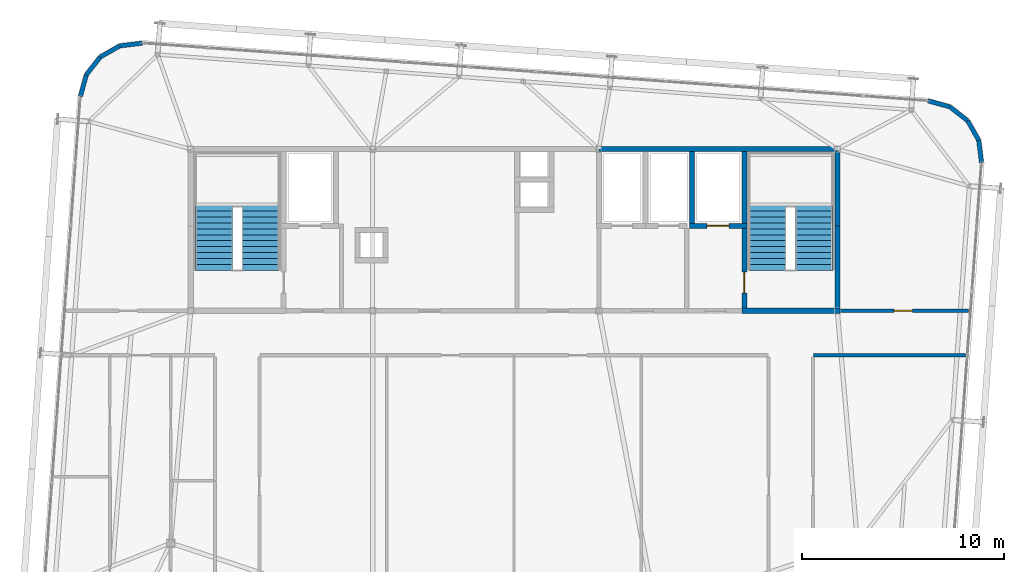
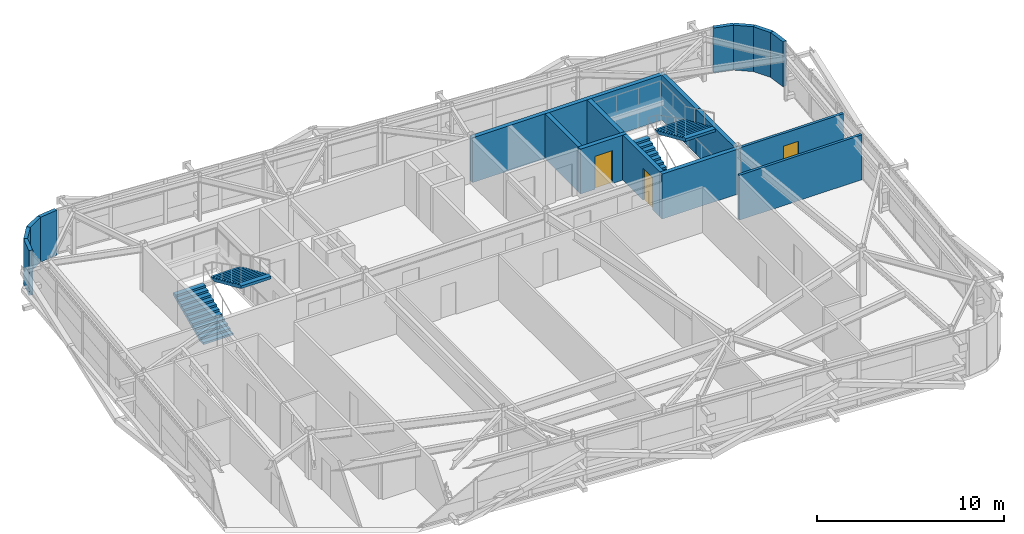
# One storey, part 40 of 42: 18 walls, 4 stair flights, 3 doors, 3 openings, 2 elements without a shape of their own.
"""IFC4 building model written with IfcOpenShell, lengths in metres."""

from ifc_helpers import new_model, si_unit, direction, frame, frame_2d, origin, place, context, subcontext, project, spatial, polyline, rectangle, outline, extrude, source, transform, mapped, material, layer, layer_set, type_object, element, fill, aggregate, save


model = new_model("IFC4")

# Units and contexts
model_context = context("Model", 3, precision=1e-05, world=origin(), true_north=direction((0.0, 1.0)))
body_context = subcontext(model_context, "Body", "Model", "MODEL_VIEW")
ifc_project = project(units=[si_unit("LENGTHUNIT", "METRE"), si_unit("AREAUNIT", "SQUARE_METRE"), si_unit("VOLUMEUNIT", "CUBIC_METRE"), si_unit("PLANEANGLEUNIT", "RADIAN"), si_unit("MASSUNIT", "GRAM", prefix="KILO")], contexts=[model_context])

# Site, building, storey
site_placement = place(None, origin())
site = spatial("IfcSite", under=ifc_project, at=site_placement, CompositionType="ELEMENT")
building_placement = place(site_placement, origin())
building = spatial("IfcBuilding", under=site, at=building_placement, Name="Taldren Reach Tower", CompositionType="ELEMENT")
storey_placement = place(building_placement, frame((0.0, 0.0, 220.85009765625)))
storey = spatial("IfcBuildingStorey", under=building, at=storey_placement, Name="L67", CompositionType="ELEMENT", Elevation=220.85009765625)

# Walls
ifc_material_1 = material(Name="Pale Champagne Anodised Aluminium Cladding", Category="aluminium")
ifc_layer_1 = layer(ifc_material_1, 0.04, Name="Pale Champagne Anodised Aluminium Cladding", Category="aluminium")
ifc_material_2 = material(Name="Mineral Wool Acoustic Insulation", Category="insulation")
ifc_layer_2 = layer(ifc_material_2, 0.06, Name="Mineral Wool Acoustic Insulation", Category="insulation")
ifc_material_3 = material(Name="Steel Gr 350 (C350L0)", Category="steel")
ifc_layer_3 = layer(ifc_material_3, 0.12, Name="Steel Gr 350 (C350L0)", Category="steel")
ifc_layer_set_1 = layer_set([ifc_layer_1, ifc_layer_2, ifc_layer_3], Name="Pale Champagne Aluminium Cladding and Steel Gr 350 Stud Framing")
wall_type_1 = type_object("IfcWallType", Name="EW-CRN-220", PredefinedType="SOLIDWALL", material=ifc_layer_set_1)
shared_shape_1 = source(origin(), body_context, "Body", "SweptSolid", [
    extrude(rectangle(XDim=1.115966796875, YDim=0.219970703125, at=frame_2d((0.55810546875, 0.0))), origin(), (0.0, 0.0, 1.0), 2.929931640625),
])
for number, where, z_axis, x_axis, name in (
    (1, (58.137451171875, 31.328125, 0.0), (0.0, 0.0, 1.0), (-0.122742076028, 0.992438604032, 0.0), "Rounded-corner pale-metal facade wall L67-NE1"),
    (2, (57.4501953125, 33.40625, 0.0), (0.0, 0.0, 1.0), (-0.788597772321, 0.614909386406, 0.0), "Rounded-corner pale-metal facade wall L67-NE3"),
    (3, (14.52099609375, 36.558837890625, 0.0), (0.0, 0.0, 1.0), (-0.614909386406, -0.788597772321, 0.0), "Rounded-corner pale-metal facade wall L67-NW3"),
):
    element("IfcWall", number, at=place(storey_placement, frame(where, z_axis=z_axis, x_axis=x_axis)), inside=storey, type_object=wall_type_1, Name=name, PredefinedType="SOLIDWALL", context=body_context, shape_type="MappedRepresentation", body=[
        mapped(shared_shape_1, transform((0.0, 0.0, 0.0), scale=1.0)),
    ])
shared_shape_2 = source(origin(), body_context, "Body", "SweptSolid", [
    extrude(rectangle(XDim=1.11572265625, YDim=0.219970703125, at=frame_2d((0.557861328125, 0.0))), origin(), (0.0, 0.0, 1.0), 2.929931640625),
])
for number, where, z_axis, x_axis, name in (
    (4, (58.00048828125, 32.435546875, 0.0), (0.0, 0.0, 1.0), (-0.493167138628, 0.869934579941, 0.0), "Rounded-corner pale-metal facade wall L67-NE2"),
    (5, (56.570068359375, 34.092529296875, 0.0), (0.0, 0.0, 1.0), (-0.963833843713, 0.266503886865, 0.0), "Rounded-corner pale-metal facade wall L67-NE4"),
    (6, (15.49169921875, 37.109130859375, 0.0), (0.0, 0.0, 1.0), (-0.869934579941, -0.493167138628, 0.0), "Rounded-corner pale-metal facade wall L67-NW2"),
    (7, (13.834716796875, 35.6787109375, 0.0), (0.0, 0.0, 1.0), (-0.266300605026, -0.963890028874, 0.0), "Rounded-corner pale-metal facade wall L67-NW4"),
):
    element("IfcWall", number, at=place(storey_placement, frame(where, z_axis=z_axis, x_axis=x_axis)), inside=storey, type_object=wall_type_1, Name=name, PredefinedType="SOLIDWALL", context=body_context, shape_type="MappedRepresentation", body=[
        mapped(shared_shape_2, transform((0.0, 0.0, 0.0), scale=1.0)),
    ])
shared_shape_3 = source(origin(), body_context, "Body", "SweptSolid", [
    extrude(rectangle(XDim=1.1162109375, YDim=0.219970703125, at=frame_2d((0.55810546875, 0.0))), origin(), (0.0, 0.0, 1.0), 2.929931640625),
])
wall_1_placement = place(storey_placement, frame((16.599365234375, 37.24609375, 0.0), z_axis=(0.0, 0.0, 1.0), x_axis=(-0.992441899189, -0.122715429897, 0.0)))
element("IfcWall", 8, at=wall_1_placement, inside=storey, type_object=wall_type_1, Name="Rounded-corner pale-metal facade wall L67-NW1", PredefinedType="SOLIDWALL", context=body_context, shape_type="MappedRepresentation", body=[
    mapped(shared_shape_3, transform((0.0, 0.0, 0.0), scale=1.0)),
])
ifc_material_4 = material(Name="Concrete S65 (65 MPa)", Category="concrete")
ifc_layer_4 = layer(ifc_material_4, 0.25)
ifc_layer_set_2 = layer_set([ifc_layer_4], Name="Concrete S65 (65 MPa)")
wall_type_2 = type_object("IfcWallType", Name="IW-CORE-250", PredefinedType="SHEAR", material=ifc_layer_set_2)
shared_shape_4 = source(origin(), body_context, "Body", "SweptSolid", [
    extrude(rectangle(XDim=11.925048828125, YDim=0.25, at=frame_2d((5.96240234375, 0.0))), origin(), (0.0, 0.0, 1.0), 2.929931640625),
])
wall_2_placement = place(storey_placement, frame((39.199951171875, 32.0, 0.0), z_axis=(0.0, 0.0, 1.0), x_axis=(1.0, 0.0, 0.0)))
element("IfcWall", 9, at=wall_2_placement, inside=storey, type_object=wall_type_2, Name="Rear Core Shear Wall W-CORE-L67-NORTH3", PredefinedType="SHEAR", context=body_context, shape_type="MappedRepresentation", body=[
    mapped(shared_shape_4, transform((0.0, 0.0, 0.0), scale=1.0)),
])
shared_shape_5 = source(origin(), body_context, "Body", "SweptSolid", [
    extrude(rectangle(XDim=4.074951171875, YDim=0.25, at=frame_2d((2.03759765625, 0.0))), origin(), (0.0, 0.0, 1.0), 2.929931640625),
])
wall_3_placement = place(storey_placement, frame((51.0, 24.125, 0.0), z_axis=(0.0, 0.0, 1.0), x_axis=(0.0, 1.0, 0.0)))
element("IfcWall", 10, at=wall_3_placement, inside=storey, type_object=wall_type_2, Name="Rear Core Shear Wall W-CORE-L67-EAST1", PredefinedType="SHEAR", context=body_context, shape_type="MappedRepresentation", body=[
    mapped(shared_shape_5, transform((0.0, 0.0, 0.0), scale=1.0)),
])
shared_shape_6 = source(origin(), body_context, "Body", "SweptSolid", [
    extrude(rectangle(XDim=3.675048828125, YDim=0.25, at=frame_2d((1.83740234375, 0.0))), origin(), (0.0, 0.0, 1.0), 2.929931640625),
])
wall_4_placement = place(storey_placement, frame((51.0, 28.199951171875, 0.0), z_axis=(0.0, 0.0, 1.0), x_axis=(0.0, 1.0, 0.0)))
element("IfcWall", 11, at=wall_4_placement, inside=storey, type_object=wall_type_2, Name="Rear Core Shear Wall W-CORE-L67-EAST2", PredefinedType="SHEAR", context=body_context, shape_type="MappedRepresentation", body=[
    mapped(shared_shape_6, transform((0.0, 0.0, 0.0), scale=1.0)),
])
shared_shape_7 = source(origin(), body_context, "Body", "SweptSolid", [
    extrude(rectangle(XDim=3.550048828125, YDim=0.25, at=frame_2d((1.77490234375, 0.0))), origin(), (0.0, 0.0, 1.0), 2.929931640625),
])
for number, where, z_axis, x_axis, name in (
    (12, (46.39990234375, 31.875, 0.0), (0.0, 0.0, 1.0), (0.0, -1.0, 0.0), "Rear Core Shear Wall W-INT-L67-008"),
    (13, (43.800048828125, 31.875, 0.0), (0.0, 0.0, 1.0), (0.0, -1.0, 0.0), "Rear Core Shear Wall W-INT-L67-012"),
):
    element("IfcWall", number, at=place(storey_placement, frame(where, z_axis=z_axis, x_axis=x_axis)), inside=storey, type_object=wall_type_2, Name=name, PredefinedType="SHEAR", context=body_context, shape_type="MappedRepresentation", body=[
        mapped(shared_shape_7, transform((0.0, 0.0, 0.0), scale=1.0)),
    ])

# Wall, opening, door
shared_shape_8 = source(origin(), body_context, "Body", "SweptSolid", [
    extrude(rectangle(XDim=3.949951171875, YDim=0.25, at=frame_2d((1.97509765625, 0.0))), origin(), (0.0, 0.0, 1.0), 2.929931640625),
])
wall_5_placement = place(storey_placement, frame((46.39990234375, 28.074951171875, 0.0), z_axis=(0.0, 0.0, 1.0), x_axis=(0.0, -1.0, 0.0)))
wall_5 = element("IfcWall", 14, at=wall_5_placement, inside=storey, type_object=wall_type_2, Name="Rear Core Shear Wall W-INT-L67-009", PredefinedType="SHEAR", context=body_context, shape_type="MappedRepresentation", body=[
    mapped(shared_shape_8, transform((0.0, 0.0, 0.0), scale=1.0)),
])
shared_shape_9 = source(origin(), body_context, "Body", "SweptSolid", [
    extrude(rectangle(XDim=1.050048828125, YDim=2.10009765625, at=frame_2d((0.52490234375, 1.050048828125))), frame((0.0, 0.135009765625, 0.0), z_axis=(0.0, -1.0, 0.0), x_axis=(1.0, 0.0, 0.0)), (0.0, 0.0, 1.0), 0.27001953125),
])
opening_1_placement = place(wall_5_placement, frame((2.14990234375, 0.0, 0.0)))
opening_1 = element("IfcOpeningElement", 15, at=opening_1_placement, cuts=wall_5, Name="Opening DF-105", PredefinedType="OPENING", context=body_context, shape_type="MappedRepresentation", body=[
    mapped(shared_shape_9, transform((0.0, 0.0, 0.0), scale=1.0)),
])
ifc_material_5 = material(Name="Fire-Rated Care and Stair Exit Door")
door_type_1 = type_object("IfcDoorType", Name="ID-FIRE-105", OperationType="NOTDEFINED", PredefinedType="DOOR", material=ifc_material_5)
shared_shape_10 = source(origin(), body_context, "Body", "SweptSolid", [
    extrude(rectangle(XDim=1.050048828125, YDim=2.10009765625, at=frame_2d((0.52490234375, 1.050048828125))), frame((0.0, 0.02490234375, 0.0), z_axis=(0.0, -1.0, 0.0), x_axis=(1.0, 0.0, 0.0)), (0.0, 0.0, 1.0), 0.050048828125),
])
door_1_placement = place(opening_1_placement, origin())
door_1 = element("IfcDoor", 16, at=door_1_placement, inside=storey, type_object=door_type_1, Name="Fire Exit Stair Door DR-L67-003", OperationType="SINGLE_SWING_RIGHT", OverallHeight=2.10009765625, OverallWidth=1.050048828125, PredefinedType="DOOR", context=body_context, shape_type="MappedRepresentation", body=[
    mapped(shared_shape_10, transform((0.0, 0.0, 0.0), scale=1.0)),
])
fill(opening_1, door_1)

# Wall
shared_shape_11 = source(origin(), body_context, "Body", "SweptSolid", [
    extrude(rectangle(XDim=4.85009765625, YDim=0.25, at=frame_2d((2.425048828125, 0.0))), origin(), (0.0, 0.0, 1.0), 2.929931640625),
])
wall_6_placement = place(storey_placement, frame((46.27490234375, 24.0, 0.0), z_axis=(0.0, 0.0, 1.0), x_axis=(1.0, 0.0, 0.0)))
element("IfcWall", 17, at=wall_6_placement, inside=storey, type_object=wall_type_2, Name="Rear Core Shear Wall W-INT-L67-010", PredefinedType="SHEAR", context=body_context, shape_type="MappedRepresentation", body=[
    mapped(shared_shape_11, transform((0.0, 0.0, 0.0), scale=1.0)),
])

# Wall, opening, door
shared_shape_12 = source(origin(), body_context, "Body", "SweptSolid", [
    extrude(rectangle(XDim=2.849853515625, YDim=0.25, at=frame_2d((1.4248046875, 0.0))), origin(), (0.0, 0.0, 1.0), 2.929931640625),
])
wall_7_placement = place(storey_placement, frame((43.675048828125, 28.199951171875, 0.0), z_axis=(0.0, 0.0, 1.0), x_axis=(1.0, 0.0, 0.0)))
wall_7 = element("IfcWall", 18, at=wall_7_placement, inside=storey, type_object=wall_type_2, Name="Rear Core Shear Wall W-INT-L67-011", PredefinedType="SHEAR", context=body_context, shape_type="MappedRepresentation", body=[
    mapped(shared_shape_12, transform((0.0, 0.0, 0.0), scale=1.0)),
])
shared_shape_13 = source(origin(), body_context, "Body", "SweptSolid", [
    extrude(rectangle(XDim=1.10009765625, YDim=2.14990234375, at=frame_2d((0.550048828125, 1.074951171875))), frame((0.0, 0.135009765625, 0.0), z_axis=(0.0, -1.0, 0.0), x_axis=(1.0, 0.0, 0.0)), (0.0, 0.0, 1.0), 0.27001953125),
])
opening_2_placement = place(wall_7_placement, frame((0.875, 0.0, 0.0)))
opening_2 = element("IfcOpeningElement", 19, at=opening_2_placement, cuts=wall_7, Name="Opening LD-FL2", PredefinedType="OPENING", context=body_context, shape_type="MappedRepresentation", body=[
    mapped(shared_shape_13, transform((0.0, 0.0, 0.0), scale=1.0)),
])
ifc_material_6 = material(Name="Stainless Steel Gr 316 Emergency Lift Landing Door", Category="steel")
door_type_2 = type_object("IfcDoorType", Name="LD-EMG-110", OperationType="SLIDING_TO_LEFT", PredefinedType="DOOR", material=ifc_material_6)
shared_shape_14 = source(origin(), body_context, "Body", "SweptSolid", [
    extrude(rectangle(XDim=1.10009765625, YDim=2.14990234375, at=frame_2d((0.550048828125, 1.074951171875))), frame((0.0, 0.02490234375, 0.0), z_axis=(0.0, -1.0, 0.0), x_axis=(1.0, 0.0, 0.0)), (0.0, 0.0, 1.0), 0.050048828125),
])
door_2_placement = place(opening_2_placement, origin())
door_2 = element("IfcDoor", 20, at=door_2_placement, inside=storey, type_object=door_type_2, Name="Lift Landing Door LD-FL2-L67", OperationType="SLIDING_TO_LEFT", OverallHeight=2.14990234375, OverallWidth=1.10009765625, PredefinedType="DOOR", context=body_context, shape_type="MappedRepresentation", body=[
    mapped(shared_shape_14, transform((0.0, 0.0, 0.0), scale=1.0)),
])
fill(opening_2, door_2)

ifc_material_7 = material(Name="Fire-Rated Acoustic Plasterboard Stud Wall", Category="gypsum")
ifc_layer_5 = layer(ifc_material_7, 0.159912109375)
ifc_layer_set_3 = layer_set([ifc_layer_5], Name="Fire-Rated Acoustic Plasterboard Stud Wall")
wall_type_3 = type_object("IfcWallType", Name="IW-FIRE-160", PredefinedType="PARTITIONING", material=ifc_layer_set_3)
shared_shape_15 = source(origin(), body_context, "Body", "SweptSolid", [
    extrude(rectangle(XDim=6.378173828125, YDim=0.159912109375, at=frame_2d((3.18896484375, 0.0))), origin(), (0.0, 0.0, 1.0), 2.929931640625),
])
wall_8_placement = place(storey_placement, frame((51.125, 24.0, 0.0), z_axis=(0.0, 0.0, 1.0), x_axis=(1.0, 0.0, 0.0)))
wall_8 = element("IfcWall", 21, at=wall_8_placement, inside=storey, type_object=wall_type_3, Name="Interior Partition Wall W-INT-L67-044", PredefinedType="PARTITIONING", context=body_context, shape_type="MappedRepresentation", body=[
    mapped(shared_shape_15, transform((0.0, 0.0, 0.0), scale=1.0)),
])
shared_shape_16 = source(origin(), body_context, "Body", "SweptSolid", [
    extrude(rectangle(XDim=0.919921875, YDim=2.10009765625, at=frame_2d((0.4599609375, 1.050048828125))), frame((0.0, 0.08984375, 0.0), z_axis=(0.0, -1.0, 0.0), x_axis=(1.0, 0.0, 0.0)), (0.0, 0.0, 1.0), 0.179931640625),
])
opening_3_placement = place(wall_8_placement, frame((2.6767578125, 0.0, 0.0)))
opening_3 = element("IfcOpeningElement", 22, at=opening_3_placement, cuts=wall_8, Name="Opening DI-092", PredefinedType="OPENING", context=body_context, shape_type="MappedRepresentation", body=[
    mapped(shared_shape_16, transform((0.0, 0.0, 0.0), scale=1.0)),
])
ifc_material_8 = material(Name="Solid-Core Timber Suite Door", Category="wood")
door_type_3 = type_object("IfcDoorType", Name="ID-INT-092", OperationType="NOTDEFINED", PredefinedType="DOOR", material=ifc_material_8)
shared_shape_17 = source(origin(), body_context, "Body", "SweptSolid", [
    extrude(rectangle(XDim=0.919921875, YDim=2.10009765625, at=frame_2d((0.4599609375, 1.050048828125))), frame((0.0, 0.02490234375, 0.0), z_axis=(0.0, -1.0, 0.0), x_axis=(1.0, 0.0, 0.0)), (0.0, 0.0, 1.0), 0.050048828125),
])
door_3_placement = place(opening_3_placement, origin())
door_3 = element("IfcDoor", 23, at=door_3_placement, inside=storey, type_object=door_type_3, Name="Interior Door DR-L67-012", OperationType="SINGLE_SWING_LEFT", OverallHeight=2.10009765625, OverallWidth=0.919921875, PredefinedType="DOOR", context=body_context, shape_type="MappedRepresentation", body=[
    mapped(shared_shape_17, transform((0.0, 0.0, 0.0), scale=1.0)),
])
fill(opening_3, door_3)

# Wall
shared_shape_18 = source(origin(), body_context, "Body", "SweptSolid", [
    extrude(rectangle(XDim=7.532958984375, YDim=0.159912109375, at=frame_2d((3.7666015625, 0.0))), origin(), (0.0, 0.0, 1.0), 2.929931640625),
])
wall_9_placement = place(storey_placement, frame((57.353271484375, 21.800048828125, 0.0), z_axis=(0.0, 0.0, 1.0), x_axis=(-1.0, 0.0, 0.0)))
element("IfcWall", 24, at=wall_9_placement, inside=storey, type_object=wall_type_3, Name="Interior Partition Wall W-INT-L67-049", PredefinedType="PARTITIONING", context=body_context, shape_type="MappedRepresentation", body=[
    mapped(shared_shape_18, transform((0.0, 0.0, 0.0), scale=1.0)),
])

# Stair, stair flights
ifc_material_9 = material(Name="Concrete S50 (50 MPa)", Category="concrete")
stair_type = type_object("IfcStairType", Name="ST-HT-315", PredefinedType="HALF_TURN_STAIR", material=ifc_material_9)
stair_1_placement = place(storey_placement, origin())
stair_1 = element("IfcStair", 25, at=stair_1_placement, inside=storey, type_object=stair_type, Name="Fire-isolated exit stair ST1 L67", PredefinedType="HALF_TURN_STAIR")
stair_flight_type = type_object("IfcStairFlightType", Name="SF-STR-315", PredefinedType="STRAIGHT", material=ifc_material_9)
stair_flight_1_placement = place(storey_placement, frame((20.139892578125, 25.989990234375, 0.0), z_axis=(0.0, 0.0, 1.0), x_axis=(0.0, 1.0, 0.0)))
stair_flight_1 = element("IfcStairFlight", 26, at=stair_flight_1_placement, type_object=stair_flight_type, Name="ST1 flight 1", NumberOfRisers=12, NumberOfTreads=11, PredefinedType="STRAIGHT", RiserHeight=0.13125, TreadLength=0.295, context=body_context, shape_type="SweptSolid", body=[
    extrude(outline(polyline([(0.0, 0.0), (0.0, 0.13134765625), (0.294921875, 0.13134765625), (0.294921875, 0.262451171875), (0.590087890625, 0.262451171875), (0.590087890625, 0.393798828125), (0.885009765625, 0.393798828125), (0.885009765625, 0.52490234375), (1.179931640625, 0.52490234375), (1.179931640625, 0.65625), (1.47509765625, 0.65625), (1.47509765625, 0.78759765625), (1.77001953125, 0.78759765625), (1.77001953125, 0.918701171875), (2.06494140625, 0.918701171875), (2.06494140625, 1.050048828125), (2.360107421875, 1.050048828125), (2.360107421875, 1.18115234375), (2.655029296875, 1.18115234375), (2.655029296875, 1.3125), (2.949951171875, 1.3125), (2.949951171875, 1.44384765625), (3.2451171875, 1.44384765625), (3.2451171875, 1.574951171875), (3.2451171875, 1.268798828125), (0.393310546875, 0.0), (0.0, 0.0)])), frame((0.0, 0.919921875, 0.0), z_axis=(0.0, -1.0, 0.0), x_axis=(1.0, 0.0, 0.0)), (0.0, 0.0, 1.0), 1.840087890625),
])
stair_flight_2_placement = place(storey_placement, frame((22.4599609375, 29.235107421875, 1.574951171875), z_axis=(0.0, 0.0, 1.0), x_axis=(0.0, -1.0, 0.0)))
stair_flight_2 = element("IfcStairFlight", 27, at=stair_flight_2_placement, type_object=stair_flight_type, Name="ST1 flight 2", NumberOfRisers=12, NumberOfTreads=11, PredefinedType="STRAIGHT", RiserHeight=0.13125, TreadLength=0.295, context=body_context, shape_type="SweptSolid", body=[
    extrude(outline(polyline([(0.0, 0.0), (0.0, 0.13134765625), (0.294921875, 0.13134765625), (0.294921875, 0.262451171875), (0.590087890625, 0.262451171875), (0.590087890625, 0.393798828125), (0.885009765625, 0.393798828125), (0.885009765625, 0.52490234375), (1.179931640625, 0.52490234375), (1.179931640625, 0.65625), (1.47509765625, 0.65625), (1.47509765625, 0.78759765625), (1.77001953125, 0.78759765625), (1.77001953125, 0.918701171875), (2.06494140625, 0.918701171875), (2.06494140625, 1.050048828125), (2.360107421875, 1.050048828125), (2.360107421875, 1.18115234375), (2.655029296875, 1.18115234375), (2.655029296875, 1.3125), (2.949951171875, 1.3125), (2.949951171875, 1.44384765625), (3.2451171875, 1.44384765625), (3.2451171875, 1.574951171875), (3.2451171875, 1.268798828125), (0.393310546875, 0.0), (0.0, 0.0)])), frame((0.0, 0.919921875, 0.0), z_axis=(0.0, -1.0, 0.0), x_axis=(1.0, 0.0, 0.0)), (0.0, 0.0, 1.0), 1.840087890625),
])
aggregate(stair_1, [stair_flight_1, stair_flight_2])

stair_2_placement = place(storey_placement, origin())
stair_2 = element("IfcStair", 28, at=stair_2_placement, inside=storey, type_object=stair_type, Name="Fire-isolated exit stair ST2 L67", PredefinedType="HALF_TURN_STAIR")
stair_flight_3_placement = place(storey_placement, frame((47.5400390625, 25.989990234375, 0.0), z_axis=(0.0, 0.0, 1.0), x_axis=(0.0, 1.0, 0.0)))
stair_flight_3 = element("IfcStairFlight", 29, at=stair_flight_3_placement, type_object=stair_flight_type, Name="ST2 flight 1", NumberOfRisers=12, NumberOfTreads=11, PredefinedType="STRAIGHT", RiserHeight=0.13125, TreadLength=0.295, context=body_context, shape_type="SweptSolid", body=[
    extrude(outline(polyline([(0.0, 0.0), (0.0, 0.13134765625), (0.294921875, 0.13134765625), (0.294921875, 0.262451171875), (0.590087890625, 0.262451171875), (0.590087890625, 0.393798828125), (0.885009765625, 0.393798828125), (0.885009765625, 0.52490234375), (1.179931640625, 0.52490234375), (1.179931640625, 0.65625), (1.47509765625, 0.65625), (1.47509765625, 0.78759765625), (1.77001953125, 0.78759765625), (1.77001953125, 0.918701171875), (2.06494140625, 0.918701171875), (2.06494140625, 1.050048828125), (2.360107421875, 1.050048828125), (2.360107421875, 1.18115234375), (2.655029296875, 1.18115234375), (2.655029296875, 1.3125), (2.949951171875, 1.3125), (2.949951171875, 1.44384765625), (3.2451171875, 1.44384765625), (3.2451171875, 1.574951171875), (3.2451171875, 1.268798828125), (0.393310546875, 0.0), (0.0, 0.0)])), frame((0.0, 0.919921875, 0.0), z_axis=(0.0, -1.0, 0.0), x_axis=(1.0, 0.0, 0.0)), (0.0, 0.0, 1.0), 1.840087890625),
])
stair_flight_4_placement = place(storey_placement, frame((49.860107421875, 29.235107421875, 1.574951171875), z_axis=(0.0, 0.0, 1.0), x_axis=(0.0, -1.0, 0.0)))
stair_flight_4 = element("IfcStairFlight", 30, at=stair_flight_4_placement, type_object=stair_flight_type, Name="ST2 flight 2", NumberOfRisers=12, NumberOfTreads=11, PredefinedType="STRAIGHT", RiserHeight=0.13125, TreadLength=0.295, context=body_context, shape_type="SweptSolid", body=[
    extrude(outline(polyline([(0.0, 0.0), (0.0, 0.13134765625), (0.294921875, 0.13134765625), (0.294921875, 0.262451171875), (0.590087890625, 0.262451171875), (0.590087890625, 0.393798828125), (0.885009765625, 0.393798828125), (0.885009765625, 0.52490234375), (1.179931640625, 0.52490234375), (1.179931640625, 0.65625), (1.47509765625, 0.65625), (1.47509765625, 0.78759765625), (1.77001953125, 0.78759765625), (1.77001953125, 0.918701171875), (2.06494140625, 0.918701171875), (2.06494140625, 1.050048828125), (2.360107421875, 1.050048828125), (2.360107421875, 1.18115234375), (2.655029296875, 1.18115234375), (2.655029296875, 1.3125), (2.949951171875, 1.3125), (2.949951171875, 1.44384765625), (3.2451171875, 1.44384765625), (3.2451171875, 1.574951171875), (3.2451171875, 1.268798828125), (0.393310546875, 0.0), (0.0, 0.0)])), frame((0.0, 0.919921875, 0.0), z_axis=(0.0, -1.0, 0.0), x_axis=(1.0, 0.0, 0.0)), (0.0, 0.0, 1.0), 1.840087890625),
])
aggregate(stair_2, [stair_flight_3, stair_flight_4])

save(model, "model.ifc")
